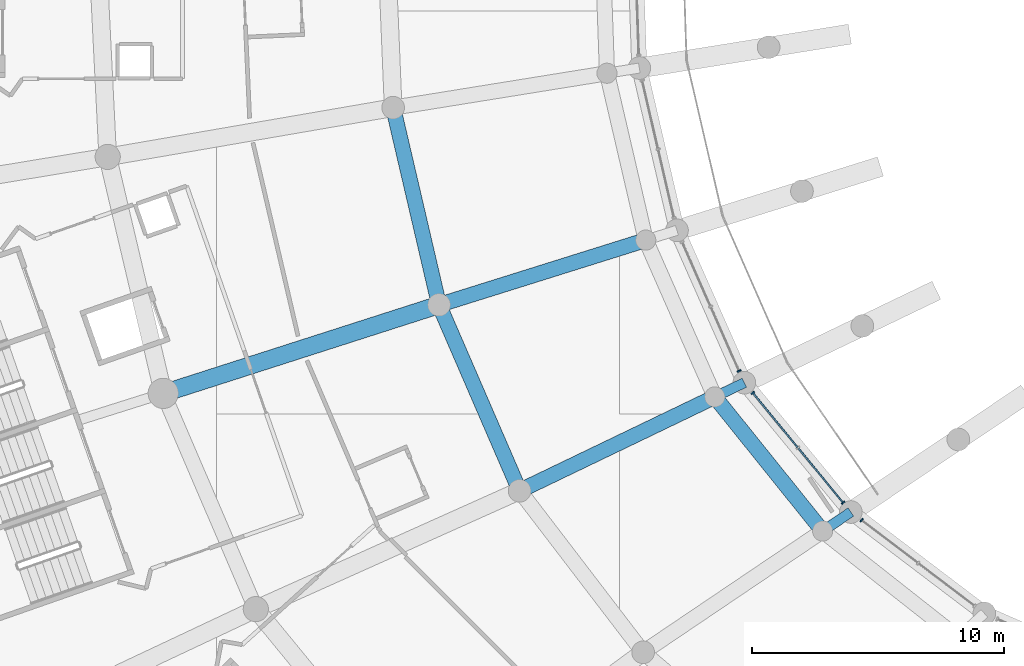
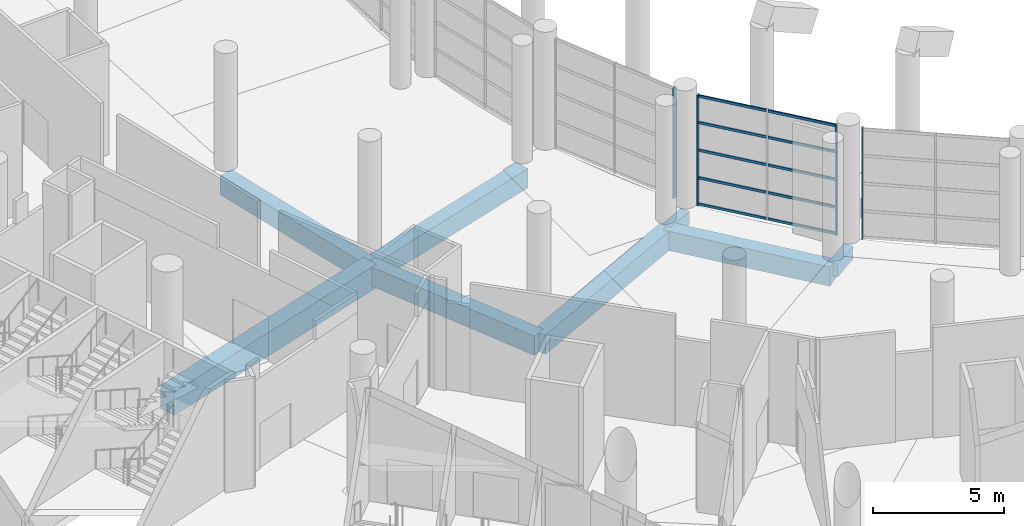
# One storey, part 16 of 271: 14 members, 8 beams, 3 elements without a shape of their own.
"""IFC4 building model written with IfcOpenShell, lengths in metres."""

from ifc_helpers import new_model, si_unit, direction, frame, origin, origin_2d, place, context, subcontext, project, spatial, rectangle, extrude, material, layer, layer_set, material_profile, profile_set, type_object, element, aggregate, save


model = new_model("IFC4")

# Units and contexts
model_context = context("Model", 3, precision=1e-05, world=origin(), true_north=direction((0.0, 1.0)))
body_context = subcontext(model_context, "Body", "Model", "MODEL_VIEW")
ifc_project = project(units=[si_unit("LENGTHUNIT", "METRE"), si_unit("AREAUNIT", "SQUARE_METRE"), si_unit("VOLUMEUNIT", "CUBIC_METRE"), si_unit("PLANEANGLEUNIT", "RADIAN"), si_unit("MASSUNIT", "GRAM", prefix="KILO")], contexts=[model_context])

# Site, building, storey
site_placement = place(None, origin())
site = spatial("IfcSite", under=ifc_project, at=site_placement, CompositionType="ELEMENT")
building_placement = place(site_placement, origin())
building = spatial("IfcBuilding", under=site, at=building_placement, Name="Meseta Stadium", CompositionType="ELEMENT")
storey_placement = place(building_placement, frame((0.0, 0.0, 6.5)))
storey = spatial("IfcBuildingStorey", under=building, at=storey_placement, Name="L01", CompositionType="ELEMENT", Elevation=6.5)

# Curtain wall, member
ifc_material_1 = material(Name="Aluminium", Category="aluminium")
ifc_layer = layer(ifc_material_1, 0.199951171875)
ifc_layer_set = layer_set([ifc_layer], Name="Club glazing curtain wall")
curtain_wall_type = type_object("IfcCurtainWallType", Name="Club glazing curtain wall", PredefinedType="NOTDEFINED", material=ifc_layer_set)
curtain_wall_1_placement = place(storey_placement, origin())
curtain_wall_1 = element("IfcCurtainWall", 1, at=curtain_wall_1_placement, inside=storey, type_object=curtain_wall_type, Name="Club glazing bay 38", PredefinedType="NOTDEFINED")
ifc_material_2 = material(Name="Aluminium", Category="aluminium")
ifc_material_profile_1 = material_profile(ifc_material_2, rectangle(XDim=0.159912109375, YDim=0.06005859375, at=origin_2d()), Name="CW 160x60")
ifc_profile_set_1 = profile_set([ifc_material_profile_1], Name="Aluminium")
member_type_1 = type_object("IfcMemberType", Name="CW mullion 60x160", PredefinedType="MULLION", material=ifc_profile_set_1)
member_1_placement = place(storey_placement, frame((-59.2548828125, -62.300537109375, 0.0), z_axis=(0.0, 0.0, 1.0), x_axis=(0.914657215102, 0.404230353712, 0.0)))
member_1 = element("IfcMember", 2, at=member_1_placement, type_object=member_type_1, Name="CWC mullion 3", PredefinedType="MULLION", context=body_context, shape_type="SweptSolid", body=[
    extrude(rectangle(XDim=0.159912109375, YDim=0.06005859375, at=origin_2d()), origin(), (0.0, 0.0, 1.0), 5.14990234375),
])
aggregate(curtain_wall_1, [member_1])

# Curtain wall, members
curtain_wall_2_placement = place(storey_placement, origin())
curtain_wall_2 = element("IfcCurtainWall", 3, at=curtain_wall_2_placement, inside=storey, type_object=curtain_wall_type, Name="Club glazing bay 39", PredefinedType="NOTDEFINED")
member_2_placement = place(storey_placement, frame((-58.71630859375, -63.170166015625, 0.0), z_axis=(0.0, 0.0, 1.0), x_axis=(0.771902420685, 0.63574102663, 0.0)))
member_2 = element("IfcMember", 4, at=member_2_placement, type_object=member_type_1, Name="CWC mullion 1", PredefinedType="MULLION", context=body_context, shape_type="SweptSolid", body=[
    extrude(rectangle(XDim=0.159912109375, YDim=0.06005859375, at=origin_2d()), origin(), (0.0, 0.0, 1.0), 5.14990234375),
])
member_3_placement = place(storey_placement, frame((-55.124755859375, -67.531005859375, 0.0), z_axis=(0.0, 0.0, 1.0), x_axis=(0.771902420685, 0.63574102663, 0.0)))
member_3 = element("IfcMember", 5, at=member_3_placement, type_object=member_type_1, Name="CWC mullion 3", PredefinedType="MULLION", context=body_context, shape_type="SweptSolid", body=[
    extrude(rectangle(XDim=0.159912109375, YDim=0.06005859375, at=origin_2d()), origin(), (0.0, 0.0, 1.0), 5.14990234375),
])

# Curtain wall, member
curtain_wall_3_placement = place(storey_placement, origin())
curtain_wall_3 = element("IfcCurtainWall", 6, at=curtain_wall_3_placement, inside=storey, type_object=curtain_wall_type, Name="Club glazing bay 40", PredefinedType="NOTDEFINED")
member_4_placement = place(storey_placement, frame((-54.392578125, -68.2255859375, 0.0), z_axis=(0.0, 0.0, 1.0), x_axis=(0.604519923448, 0.796590021375, 0.0)))
member_4 = element("IfcMember", 7, at=member_4_placement, type_object=member_type_1, Name="CWC mullion 1", PredefinedType="MULLION", context=body_context, shape_type="SweptSolid", body=[
    extrude(rectangle(XDim=0.159912109375, YDim=0.06005859375, at=origin_2d()), origin(), (0.0, 0.0, 1.0), 5.14990234375),
])
aggregate(curtain_wall_3, [member_4])

# Member
ifc_material_3 = material(Name="Aluminium", Category="aluminium")
ifc_material_profile_2 = material_profile(ifc_material_3, rectangle(XDim=0.06005859375, YDim=0.1201171875, at=origin_2d()), Name="CW 60x120")
ifc_profile_set_2 = profile_set([ifc_material_profile_2], Name="Aluminium")
member_type_2 = type_object("IfcMemberType", Name="CW transom 60x120", PredefinedType="USERDEFINED", material=ifc_profile_set_2)
member_5_placement = place(storey_placement, frame((-58.697265625, -63.193359375, 0.06005859375), z_axis=(0.63573511069, -0.771907293032, 0.0), x_axis=(0.771907293032, 0.63573511069, 0.0)))
member_5 = element("IfcMember", 8, at=member_5_placement, type_object=member_type_2, Name="CWC transom 1.1", ObjectType="TRANSOM", PredefinedType="USERDEFINED", context=body_context, shape_type="SweptSolid", body=[
    extrude(rectangle(XDim=0.06005859375, YDim=0.1201171875, at=origin_2d()), origin(), (0.0, 0.0, 1.0), 2.7646484375),
])

member_6_placement = place(storey_placement, frame((-58.697265625, -63.193359375, 1.28759765625), z_axis=(0.63573511069, -0.771907293032, 0.0), x_axis=(0.771907293032, 0.63573511069, 0.0)))
member_6 = element("IfcMember", 9, at=member_6_placement, type_object=member_type_2, Name="CWC transom 1.2", ObjectType="TRANSOM", PredefinedType="USERDEFINED", context=body_context, shape_type="SweptSolid", body=[
    extrude(rectangle(XDim=0.06005859375, YDim=0.1201171875, at=origin_2d()), origin(), (0.0, 0.0, 1.0), 2.7646484375),
])

member_7_placement = place(storey_placement, frame((-58.697265625, -63.193359375, 2.574951171875), z_axis=(0.63573511069, -0.771907293032, 0.0), x_axis=(0.771907293032, 0.63573511069, 0.0)))
member_7 = element("IfcMember", 10, at=member_7_placement, type_object=member_type_2, Name="CWC transom 1.3", ObjectType="TRANSOM", PredefinedType="USERDEFINED", context=body_context, shape_type="SweptSolid", body=[
    extrude(rectangle(XDim=0.06005859375, YDim=0.1201171875, at=origin_2d()), origin(), (0.0, 0.0, 1.0), 2.7646484375),
])

member_8_placement = place(storey_placement, frame((-58.697265625, -63.193359375, 3.862548828125), z_axis=(0.63573511069, -0.771907293032, 0.0), x_axis=(0.771907293032, 0.63573511069, 0.0)))
member_8 = element("IfcMember", 11, at=member_8_placement, type_object=member_type_2, Name="CWC transom 1.4", ObjectType="TRANSOM", PredefinedType="USERDEFINED", context=body_context, shape_type="SweptSolid", body=[
    extrude(rectangle(XDim=0.06005859375, YDim=0.1201171875, at=origin_2d()), origin(), (0.0, 0.0, 1.0), 2.7646484375),
])

member_9_placement = place(storey_placement, frame((-58.697265625, -63.193359375, 5.090087890625), z_axis=(0.63573511069, -0.771907293032, 0.0), x_axis=(0.771907293032, 0.63573511069, 0.0)))
member_9 = element("IfcMember", 12, at=member_9_placement, type_object=member_type_2, Name="CWC transom 1.5", ObjectType="TRANSOM", PredefinedType="USERDEFINED", context=body_context, shape_type="SweptSolid", body=[
    extrude(rectangle(XDim=0.06005859375, YDim=0.1201171875, at=origin_2d()), origin(), (0.0, 0.0, 1.0), 2.7646484375),
])

member_10_placement = place(storey_placement, frame((-56.9013671875, -65.373779296875, 0.06005859375), z_axis=(0.63573511069, -0.771907293032, 0.0), x_axis=(0.771907293032, 0.63573511069, 0.0)))
member_10 = element("IfcMember", 13, at=member_10_placement, type_object=member_type_2, Name="CWC transom 2.1", ObjectType="TRANSOM", PredefinedType="USERDEFINED", context=body_context, shape_type="SweptSolid", body=[
    extrude(rectangle(XDim=0.06005859375, YDim=0.1201171875, at=origin_2d()), origin(), (0.0, 0.0, 1.0), 2.7646484375),
])

member_11_placement = place(storey_placement, frame((-56.9013671875, -65.373779296875, 1.28759765625), z_axis=(0.63573511069, -0.771907293032, 0.0), x_axis=(0.771907293032, 0.63573511069, 0.0)))
member_11 = element("IfcMember", 14, at=member_11_placement, type_object=member_type_2, Name="CWC transom 2.2", ObjectType="TRANSOM", PredefinedType="USERDEFINED", context=body_context, shape_type="SweptSolid", body=[
    extrude(rectangle(XDim=0.06005859375, YDim=0.1201171875, at=origin_2d()), origin(), (0.0, 0.0, 1.0), 2.7646484375),
])

member_12_placement = place(storey_placement, frame((-56.9013671875, -65.373779296875, 2.574951171875), z_axis=(0.63573511069, -0.771907293032, 0.0), x_axis=(0.771907293032, 0.63573511069, 0.0)))
member_12 = element("IfcMember", 15, at=member_12_placement, type_object=member_type_2, Name="CWC transom 2.3", ObjectType="TRANSOM", PredefinedType="USERDEFINED", context=body_context, shape_type="SweptSolid", body=[
    extrude(rectangle(XDim=0.06005859375, YDim=0.1201171875, at=origin_2d()), origin(), (0.0, 0.0, 1.0), 2.7646484375),
])

member_13_placement = place(storey_placement, frame((-56.9013671875, -65.373779296875, 3.862548828125), z_axis=(0.63573511069, -0.771907293032, 0.0), x_axis=(0.771907293032, 0.63573511069, 0.0)))
member_13 = element("IfcMember", 16, at=member_13_placement, type_object=member_type_2, Name="CWC transom 2.4", ObjectType="TRANSOM", PredefinedType="USERDEFINED", context=body_context, shape_type="SweptSolid", body=[
    extrude(rectangle(XDim=0.06005859375, YDim=0.1201171875, at=origin_2d()), origin(), (0.0, 0.0, 1.0), 2.7646484375),
])

member_14_placement = place(storey_placement, frame((-56.9013671875, -65.373779296875, 5.090087890625), z_axis=(0.63573511069, -0.771907293032, 0.0), x_axis=(0.771907293032, 0.63573511069, 0.0)))
member_14 = element("IfcMember", 17, at=member_14_placement, type_object=member_type_2, Name="CWC transom 2.5", ObjectType="TRANSOM", PredefinedType="USERDEFINED", context=body_context, shape_type="SweptSolid", body=[
    extrude(rectangle(XDim=0.06005859375, YDim=0.1201171875, at=origin_2d()), origin(), (0.0, 0.0, 1.0), 2.7646484375),
])

aggregate(curtain_wall_2, [member_2, member_3, member_5, member_6, member_7, member_8, member_9, member_10, member_11, member_12, member_13, member_14])

# Beams
ifc_material_4 = material(Name="Concrete C40/50", Category="concrete")
ifc_material_profile_3 = material_profile(ifc_material_4, rectangle(XDim=0.39990234375, YDim=0.60009765625, at=origin_2d()), Name="RC 400x600")
ifc_profile_set_3 = profile_set([ifc_material_profile_3], Name="Concrete C40/50")
beam_type_1 = type_object("IfcBeamType", Name="RC beam 400x600", PredefinedType="BEAM", material=ifc_profile_set_3)
beam_1_placement = place(storey_placement, frame((-59.049072265625, -62.766357421875, -0.64990234375), z_axis=(-0.901186215953, -0.433432121762, 0.0), x_axis=(0.433432121762, -0.901186215953, 0.0)))
element("IfcBeam", 18, at=beam_1_placement, inside=storey, type_object=beam_type_1, Name="L01 radial beam frame 39 line C to D", PredefinedType="BEAM", context=body_context, shape_type="SweptSolid", body=[
    extrude(rectangle(XDim=0.39990234375, YDim=0.60009765625, at=origin_2d()), origin(), (0.0, 0.0, 1.0), 1.3017578125),
])
beam_2_placement = place(storey_placement, frame((-54.819580078125, -67.901611328125, -0.64990234375), z_axis=(-0.828785870945, -0.559565885416, 0.0), x_axis=(0.559565885416, -0.828785870945, 0.0)))
element("IfcBeam", 19, at=beam_2_placement, inside=storey, type_object=beam_type_1, Name="L01 radial beam frame 40 line C to D", PredefinedType="BEAM", context=body_context, shape_type="SweptSolid", body=[
    extrude(rectangle(XDim=0.39990234375, YDim=0.60009765625, at=origin_2d()), origin(), (0.0, 0.0, 1.0), 1.35205078125),
])
ifc_material_5 = material(Name="Concrete C40/50", Category="concrete")
ifc_material_profile_4 = material_profile(ifc_material_5, rectangle(XDim=0.60009765625, YDim=0.89990234375, at=origin_2d()), Name="RC 600x900")
ifc_profile_set_4 = profile_set([ifc_material_profile_4], Name="Concrete C40/50")
beam_type_2 = type_object("IfcBeamType", Name="RC beam 600x900", PredefinedType="BEAM", material=ifc_profile_set_4)
beam_3_placement = place(storey_placement, frame((-72.9921875, -51.84716796875, -0.800048828125), z_axis=(0.226697740265, -0.973965160855, 0.0), x_axis=(0.973965160855, 0.226697740265, 0.0)))
element("IfcBeam", 20, at=beam_3_placement, inside=storey, type_object=beam_type_2, Name="L01 ring beam frame 37 line E", PredefinedType="BEAM", context=body_context, shape_type="SweptSolid", body=[
    extrude(rectangle(XDim=0.60009765625, YDim=0.89990234375, at=origin_2d()), origin(), (0.0, 0.0, 1.0), 8.039306640625),
])
beam_4_placement = place(storey_placement, frame((-71.169677734375, -59.67724609375, -0.800048828125), z_axis=(0.397502661884, -0.91760102103, 0.0), x_axis=(0.91760102103, 0.397502661884, 0.0)))
element("IfcBeam", 21, at=beam_4_placement, inside=storey, type_object=beam_type_2, Name="L01 ring beam frame 38 line E", PredefinedType="BEAM", context=body_context, shape_type="SweptSolid", body=[
    extrude(rectangle(XDim=0.60009765625, YDim=0.89990234375, at=origin_2d()), origin(), (0.0, 0.0, 1.0), 8.04345703125),
])
beam_5_placement = place(storey_placement, frame((-60.22216796875, -63.33056640625, -0.800048828125), z_axis=(0.626466293445, -0.779448512204, 0.0), x_axis=(0.779448512204, 0.626466293445, 0.0)))
element("IfcBeam", 22, at=beam_5_placement, inside=storey, type_object=beam_type_2, Name="L01 ring beam frame 39 line D", PredefinedType="BEAM", context=body_context, shape_type="SweptSolid", body=[
    extrude(rectangle(XDim=0.60009765625, YDim=0.89990234375, at=origin_2d()), origin(), (0.0, 0.0, 1.0), 6.835205078125),
])
for number, where, z_axis, x_axis, name in (
    (23, (-62.963623046875, -57.1044921875, -0.800048828125), (-0.9542027514, -0.299160674588, 0.0), (0.299160674588, -0.9542027514, 0.0), "L01 radial beam frame 38 line D to E"),
    (24, (-60.22216796875, -63.33056640625, -0.800048828125), (-0.901197200503, -0.433409282094, 0.0), (0.433409282094, -0.901197200503, 0.0), "L01 radial beam frame 39 line D to E"),
):
    element("IfcBeam", number, at=place(storey_placement, frame(where, z_axis=z_axis, x_axis=x_axis)), inside=storey, type_object=beam_type_2, Name=name, PredefinedType="BEAM", context=body_context, shape_type="SweptSolid", body=[
        extrude(rectangle(XDim=0.60009765625, YDim=0.89990234375, at=origin_2d()), origin(), (0.0, 0.0, 1.0), 8.599853515625),
    ])
ifc_material_6 = material(Name="Concrete C40/50", Category="concrete")
ifc_material_profile_5 = material_profile(ifc_material_6, rectangle(XDim=0.699951171875, YDim=1.10009765625, at=origin_2d()), Name="RC 700x1100")
ifc_profile_set_5 = profile_set([ifc_material_profile_5], Name="Concrete C40/50")
beam_type_3 = type_object("IfcBeamType", Name="RC beam 700x1100", PredefinedType="BEAM", material=ifc_profile_set_5)
beam_6_placement = place(storey_placement, frame((-71.169677734375, -59.67724609375, -0.89990234375), z_axis=(-0.952175117954, -0.305552850992, 0.0), x_axis=(0.305552850992, -0.952175117954, 0.0)))
element("IfcBeam", 25, at=beam_6_placement, inside=storey, type_object=beam_type_3, Name="L01 radial beam frame 38 line E to P", PredefinedType="BEAM", context=body_context, shape_type="SweptSolid", body=[
    extrude(rectangle(XDim=0.699951171875, YDim=1.10009765625, at=origin_2d()), origin(), (0.0, 0.0, 1.0), 11.500244140625),
])

save(model, "model.ifc")
